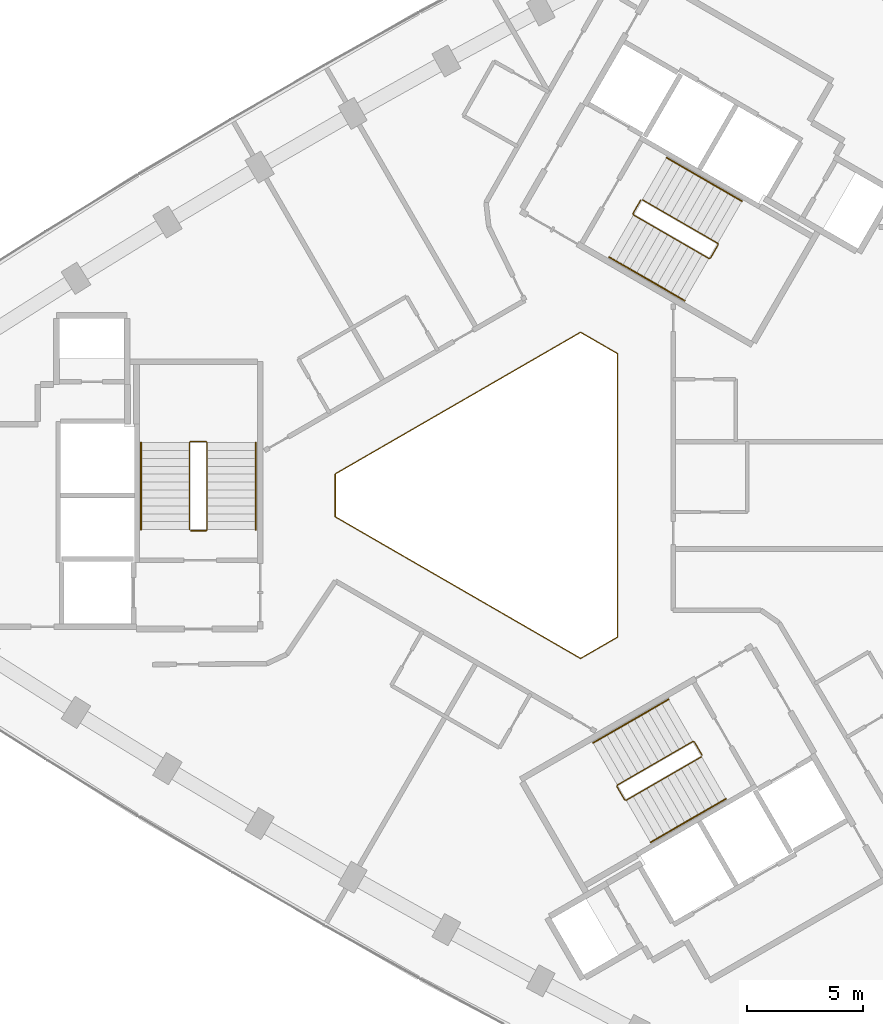
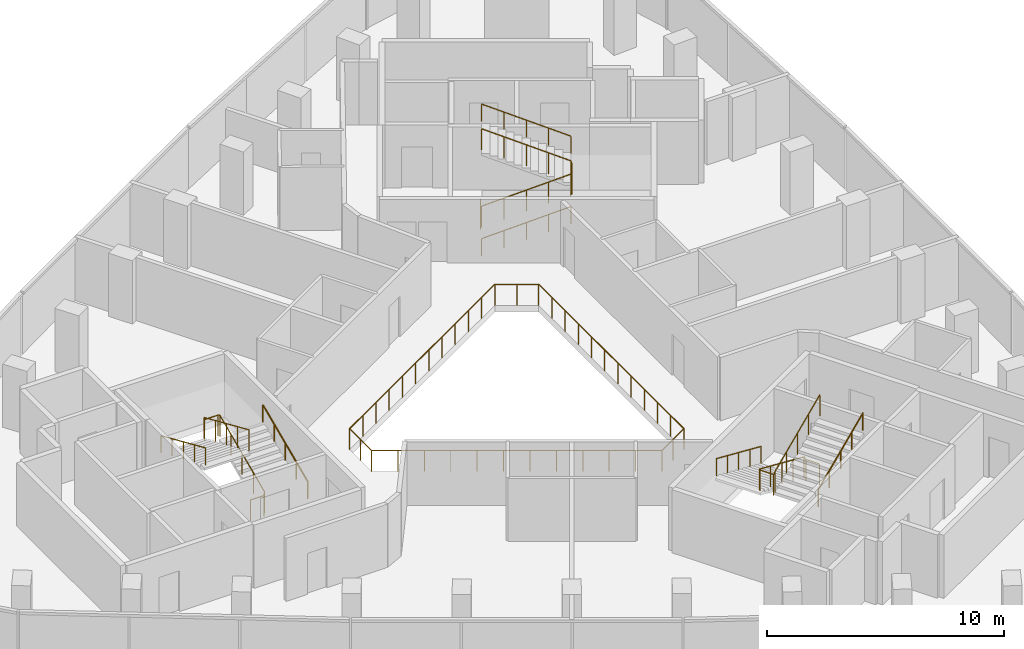
# One storey, part 11 of 11: 10 railings.
"""IFC4 building model written with IfcOpenShell, lengths in metres."""

from ifc_helpers import new_model, si_unit, direction, frame, origin, origin_2d, place, context, subcontext, project, spatial, circle, extrude, material, type_object, element, save


model = new_model("IFC4")

# Units and contexts
model_context = context("Model", 3, precision=1e-05, world=origin(), true_north=direction((0.0, 1.0)))
body_context = subcontext(model_context, "Body", "Model", "MODEL_VIEW")
ifc_project = project(units=[si_unit("LENGTHUNIT", "METRE"), si_unit("AREAUNIT", "SQUARE_METRE"), si_unit("VOLUMEUNIT", "CUBIC_METRE"), si_unit("PLANEANGLEUNIT", "RADIAN"), si_unit("MASSUNIT", "GRAM", prefix="KILO")], contexts=[model_context])

# Site, building, storey
site_placement = place(None, origin())
site = spatial("IfcSite", under=ifc_project, at=site_placement, CompositionType="ELEMENT")
building_placement = place(site_placement, origin())
building = spatial("IfcBuilding", under=site, at=building_placement, Name="Tamra Quay Hotel Tower", CompositionType="ELEMENT")
storey_placement = place(building_placement, frame((0.0, 0.0, 190.0)))
storey = spatial("IfcBuildingStorey", under=building, at=storey_placement, Name="L47", CompositionType="ELEMENT", Elevation=190.0)

# Railings
ifc_material_1 = material(Name="Guard atrium edge 1100")
railing_type_1 = type_object("IfcRailingType", Name="Guard atrium edge 1100", PredefinedType="GUARDRAIL", material=ifc_material_1)
railing_1_placement = place(storey_placement, frame((4.60009765625, -6.1201171875, 0.0)))
element("IfcRailing", 1, at=railing_1_placement, inside=storey, type_object=railing_type_1, Name="G-A", PredefinedType="GUARDRAIL", context=body_context, shape_type="SweptSolid", body=[
    extrude(circle(Radius=0.02392578125, at=origin_2d()), frame((0.0, 0.0, 1.076171875), z_axis=(-0.86602275259, -0.500004591975, 0.0), x_axis=(0.500004591975, -0.86602275259, 0.0)), (0.0, 0.0, 1.0), 1.84765625),
    extrude(circle(Radius=0.02392578125, at=origin_2d()), frame((-1.60009765625, -0.923828125, 1.076171875), z_axis=(-0.866028806638, 0.499994106039, 0.0), x_axis=(-0.499994106039, -0.866028806638, 0.0)), (0.0, 0.0, 1.0), 12.239990234375),
    extrude(circle(Radius=0.02392578125, at=origin_2d()), frame((-12.2001953125, 5.196044921875, 1.076171875), z_axis=(0.0, 1.0, 0.0), x_axis=(-1.0, 0.0, 0.0)), (0.0, 0.0, 1.0), 1.84814453125),
    extrude(circle(Radius=0.02392578125, at=origin_2d()), frame((-12.2001953125, 7.044189453125, 1.076171875), z_axis=(0.866028806638, 0.499994106039, 0.0), x_axis=(-0.499994106039, 0.866028806638, 0.0)), (0.0, 0.0, 1.0), 12.239990234375),
    extrude(circle(Radius=0.02392578125, at=origin_2d()), frame((-1.60009765625, 13.1640625, 1.076171875), z_axis=(0.86602275259, -0.500004591975, 0.0), x_axis=(0.500004591975, 0.86602275259, 0.0)), (0.0, 0.0, 1.0), 1.84765625),
    extrude(circle(Radius=0.02392578125, at=origin_2d()), frame((0.0, 12.240234375, 1.076171875), z_axis=(0.0, -1.0, 0.0), x_axis=(1.0, 0.0, 0.0)), (0.0, 0.0, 1.0), 12.240234375),
    extrude(circle(Radius=0.02099609375, at=origin_2d()), origin(), (0.0, 0.0, 1.0), 1.052001953125),
    extrude(circle(Radius=0.02099609375, at=origin_2d()), frame((-0.800048828125, -0.4619140625, 0.0)), (0.0, 0.0, 1.0), 1.052001953125),
    extrude(circle(Radius=0.02099609375, at=origin_2d()), frame((-1.60009765625, -0.923828125, 0.0)), (0.0, 0.0, 1.0), 1.052001953125),
    extrude(circle(Radius=0.02099609375, at=origin_2d()), frame((-2.563720703125, -0.367431640625, 0.0)), (0.0, 0.0, 1.0), 1.052001953125),
    extrude(circle(Radius=0.02099609375, at=origin_2d()), frame((-3.52734375, 0.18896484375, 0.0)), (0.0, 0.0, 1.0), 1.052001953125),
    extrude(circle(Radius=0.02099609375, at=origin_2d()), frame((-4.490966796875, 0.7451171875, 0.0)), (0.0, 0.0, 1.0), 1.052001953125),
    extrude(circle(Radius=0.02099609375, at=origin_2d()), frame((-5.45458984375, 1.301513671875, 0.0)), (0.0, 0.0, 1.0), 1.052001953125),
    extrude(circle(Radius=0.02099609375, at=origin_2d()), frame((-6.418212890625, 1.85791015625, 0.0)), (0.0, 0.0, 1.0), 1.052001953125),
    extrude(circle(Radius=0.02099609375, at=origin_2d()), frame((-7.382080078125, 2.414306640625, 0.0)), (0.0, 0.0, 1.0), 1.052001953125),
    extrude(circle(Radius=0.02099609375, at=origin_2d()), frame((-8.345703125, 2.970703125, 0.0)), (0.0, 0.0, 1.0), 1.052001953125),
    extrude(circle(Radius=0.02099609375, at=origin_2d()), frame((-9.309326171875, 3.527099609375, 0.0)), (0.0, 0.0, 1.0), 1.052001953125),
    extrude(circle(Radius=0.02099609375, at=origin_2d()), frame((-10.27294921875, 4.083251953125, 0.0)), (0.0, 0.0, 1.0), 1.052001953125),
    extrude(circle(Radius=0.02099609375, at=origin_2d()), frame((-11.236572265625, 4.6396484375, 0.0)), (0.0, 0.0, 1.0), 1.052001953125),
    extrude(circle(Radius=0.02099609375, at=origin_2d()), frame((-12.2001953125, 5.196044921875, 0.0)), (0.0, 0.0, 1.0), 1.052001953125),
    extrude(circle(Radius=0.02099609375, at=origin_2d()), frame((-12.2001953125, 6.1201171875, 0.0)), (0.0, 0.0, 1.0), 1.052001953125),
    extrude(circle(Radius=0.02099609375, at=origin_2d()), frame((-12.2001953125, 7.044189453125, 0.0)), (0.0, 0.0, 1.0), 1.052001953125),
    extrude(circle(Radius=0.02099609375, at=origin_2d()), frame((-11.236572265625, 7.6005859375, 0.0)), (0.0, 0.0, 1.0), 1.052001953125),
    extrude(circle(Radius=0.02099609375, at=origin_2d()), frame((-10.27294921875, 8.156982421875, 0.0)), (0.0, 0.0, 1.0), 1.052001953125),
    extrude(circle(Radius=0.02099609375, at=origin_2d()), frame((-9.309326171875, 8.713134765625, 0.0)), (0.0, 0.0, 1.0), 1.052001953125),
    extrude(circle(Radius=0.02099609375, at=origin_2d()), frame((-8.345703125, 9.26953125, 0.0)), (0.0, 0.0, 1.0), 1.052001953125),
    extrude(circle(Radius=0.02099609375, at=origin_2d()), frame((-7.382080078125, 9.825927734375, 0.0)), (0.0, 0.0, 1.0), 1.052001953125),
    extrude(circle(Radius=0.02099609375, at=origin_2d()), frame((-6.418212890625, 10.38232421875, 0.0)), (0.0, 0.0, 1.0), 1.052001953125),
    extrude(circle(Radius=0.02099609375, at=origin_2d()), frame((-5.45458984375, 10.938720703125, 0.0)), (0.0, 0.0, 1.0), 1.052001953125),
    extrude(circle(Radius=0.02099609375, at=origin_2d()), frame((-4.490966796875, 11.4951171875, 0.0)), (0.0, 0.0, 1.0), 1.052001953125),
    extrude(circle(Radius=0.02099609375, at=origin_2d()), frame((-3.52734375, 12.05126953125, 0.0)), (0.0, 0.0, 1.0), 1.052001953125),
    extrude(circle(Radius=0.02099609375, at=origin_2d()), frame((-2.563720703125, 12.607666015625, 0.0)), (0.0, 0.0, 1.0), 1.052001953125),
    extrude(circle(Radius=0.02099609375, at=origin_2d()), frame((-1.60009765625, 13.1640625, 0.0)), (0.0, 0.0, 1.0), 1.052001953125),
    extrude(circle(Radius=0.02099609375, at=origin_2d()), frame((-0.800048828125, 12.7021484375, 0.0)), (0.0, 0.0, 1.0), 1.052001953125),
    extrude(circle(Radius=0.02099609375, at=origin_2d()), frame((0.0, 12.240234375, 0.0)), (0.0, 0.0, 1.0), 1.052001953125),
    extrude(circle(Radius=0.02099609375, at=origin_2d()), frame((0.0, 11.12744140625, 0.0)), (0.0, 0.0, 1.0), 1.052001953125),
    extrude(circle(Radius=0.02099609375, at=origin_2d()), frame((0.0, 10.0146484375, 0.0)), (0.0, 0.0, 1.0), 1.052001953125),
    extrude(circle(Radius=0.02099609375, at=origin_2d()), frame((0.0, 8.902099609375, 0.0)), (0.0, 0.0, 1.0), 1.052001953125),
    extrude(circle(Radius=0.02099609375, at=origin_2d()), frame((0.0, 7.789306640625, 0.0)), (0.0, 0.0, 1.0), 1.052001953125),
    extrude(circle(Radius=0.02099609375, at=origin_2d()), frame((0.0, 6.676513671875, 0.0)), (0.0, 0.0, 1.0), 1.052001953125),
    extrude(circle(Radius=0.02099609375, at=origin_2d()), frame((0.0, 5.563720703125, 0.0)), (0.0, 0.0, 1.0), 1.052001953125),
    extrude(circle(Radius=0.02099609375, at=origin_2d()), frame((0.0, 4.450927734375, 0.0)), (0.0, 0.0, 1.0), 1.052001953125),
    extrude(circle(Radius=0.02099609375, at=origin_2d()), frame((0.0, 3.338134765625, 0.0)), (0.0, 0.0, 1.0), 1.052001953125),
    extrude(circle(Radius=0.02099609375, at=origin_2d()), frame((0.0, 2.2255859375, 0.0)), (0.0, 0.0, 1.0), 1.052001953125),
    extrude(circle(Radius=0.02099609375, at=origin_2d()), frame((0.0, 1.11279296875, 0.0)), (0.0, 0.0, 1.0), 1.052001953125),
])
ifc_material_2 = material(Name="Stair guard 1100")
railing_type_2 = type_object("IfcRailingType", Name="Stair guard 1100", PredefinedType="GUARDRAIL", material=ifc_material_2)
railing_2_placement = place(storey_placement, frame((-13.84130859375, -1.530029296875, 0.0)))
element("IfcRailing", 2, at=railing_2_placement, inside=storey, type_object=railing_type_2, Name="GR", PredefinedType="GUARDRAIL", context=body_context, shape_type="SweptSolid", body=[
    extrude(circle(Radius=0.02392578125, at=origin_2d()), frame((0.0, 0.0, 1.076171875), z_axis=(1.0, 0.0, 0.0), x_axis=(0.0, 1.0, 0.0)), (0.0, 0.0, 1.0), 0.658935546875),
    extrude(circle(Radius=0.02392578125, at=origin_2d()), frame((0.658935546875, 0.0, 1.076171875), z_axis=(0.301912943143, 0.301912943143, 0.904266083366), x_axis=(-0.707106781187, 0.707106781187, 0.0)), (0.0, 0.0, 1.0), 0.165771484375),
    extrude(circle(Radius=0.02392578125, at=origin_2d()), frame((0.708984375, 0.050048828125, 1.22607421875), z_axis=(0.0, 0.915773634228, 0.401694723457), x_axis=(-1.0, 0.0, 0.0)), (0.0, 0.0, 1.0), 4.10791015625),
    extrude(circle(Radius=0.02392578125, at=origin_2d()), frame((0.708984375, 3.81201171875, 2.8759765625), z_axis=(-0.708833529934, 0.705375805398, 0.0), x_axis=(-0.705375805398, -0.708833529934, 0.0)), (0.0, 0.0, 1.0), 0.070556640625),
    extrude(circle(Radius=0.02392578125, at=origin_2d()), frame((0.658935546875, 3.86181640625, 2.8759765625), z_axis=(-1.0, 0.0, 0.0), x_axis=(0.0, -1.0, 0.0)), (0.0, 0.0, 1.0), 0.658935546875),
    extrude(circle(Radius=0.02392578125, at=origin_2d()), frame((0.0, 3.86181640625, 2.8759765625), z_axis=(-0.302046947789, -0.300573548044, 0.904667443621), x_axis=(0.705375805398, -0.708833529934, 0.0)), (0.0, 0.0, 1.0), 0.165771484375),
    extrude(circle(Radius=0.02392578125, at=origin_2d()), frame((-0.050048828125, 3.81201171875, 3.02587890625), z_axis=(0.0, -0.915773634228, 0.401694723457), x_axis=(1.0, 0.0, 0.0)), (0.0, 0.0, 1.0), 4.10791015625),
    extrude(circle(Radius=0.02099609375, at=origin_2d()), origin(), (0.0, 0.0, 1.0), 1.052001953125),
    extrude(circle(Radius=0.02099609375, at=origin_2d()), frame((0.658935546875, 0.0, 0.0)), (0.0, 0.0, 1.0), 1.052001953125),
    extrude(circle(Radius=0.02099609375, at=origin_2d()), frame((0.708984375, 0.050048828125, 0.14990234375)), (0.0, 0.0, 1.0), 1.052001953125),
    extrude(circle(Radius=0.02099609375, at=origin_2d()), frame((0.708984375, 0.990478515625, 0.5625)), (0.0, 0.0, 1.0), 1.052001953125),
    extrude(circle(Radius=0.02099609375, at=origin_2d()), frame((0.708984375, 1.93115234375, 0.97509765625)), (0.0, 0.0, 1.0), 1.052001953125),
    extrude(circle(Radius=0.02099609375, at=origin_2d()), frame((0.708984375, 2.87158203125, 1.387451171875)), (0.0, 0.0, 1.0), 1.052001953125),
    extrude(circle(Radius=0.02099609375, at=origin_2d()), frame((0.708984375, 3.81201171875, 1.800048828125)), (0.0, 0.0, 1.0), 1.052001953125),
    extrude(circle(Radius=0.02099609375, at=origin_2d()), frame((0.658935546875, 3.86181640625, 1.800048828125)), (0.0, 0.0, 1.0), 1.052001953125),
    extrude(circle(Radius=0.02099609375, at=origin_2d()), frame((0.0, 3.86181640625, 1.800048828125)), (0.0, 0.0, 1.0), 1.052001953125),
    extrude(circle(Radius=0.02099609375, at=origin_2d()), frame((-0.050048828125, 3.81201171875, 1.949951171875)), (0.0, 0.0, 1.0), 1.052001953125),
    extrude(circle(Radius=0.02099609375, at=origin_2d()), frame((-0.050048828125, 2.87158203125, 2.362548828125)), (0.0, 0.0, 1.0), 1.052001953125),
    extrude(circle(Radius=0.02099609375, at=origin_2d()), frame((-0.050048828125, 1.93115234375, 2.77490234375)), (0.0, 0.0, 1.0), 1.052001953125),
    extrude(circle(Radius=0.02099609375, at=origin_2d()), frame((-0.050048828125, 0.990478515625, 3.1875)), (0.0, 0.0, 1.0), 1.052001953125),
    extrude(circle(Radius=0.02099609375, at=origin_2d()), frame((-0.050048828125, 0.050048828125, 3.60009765625)), (0.0, 0.0, 1.0), 1.052001953125),
])
railing_3_placement = place(storey_placement, frame((5.595458984375, 12.751953125, 0.0)))
element("IfcRailing", 3, at=railing_3_placement, inside=storey, type_object=railing_type_2, Name="GR", PredefinedType="GUARDRAIL", context=body_context, shape_type="SweptSolid", body=[
    extrude(circle(Radius=0.02392578125, at=origin_2d()), frame((0.0, 0.0, 1.076171875), z_axis=(-0.499765215335, -0.866160914346, 0.0), x_axis=(0.866160914346, -0.499765215335, 0.0)), (0.0, 0.0, 1.0), 0.658935546875),
    extrude(circle(Radius=0.02392578125, at=origin_2d()), frame((-0.329345703125, -0.57080078125, 1.076171875), z_axis=(0.110525977783, -0.411156637351, 0.904839338113), x_axis=(0.965715946433, 0.259601060869, 0.0)), (0.0, 0.0, 1.0), 0.165771484375),
    extrude(circle(Radius=0.02392578125, at=origin_2d()), frame((-0.31103515625, -0.638916015625, 1.22607421875), z_axis=(0.79305953016, -0.457922937641, 0.401700342053), x_axis=(0.500040788363, 0.866001853331, 0.0)), (0.0, 0.0, 1.0), 4.10791015625),
    extrude(circle(Radius=0.02392578125, at=origin_2d()), frame((2.94677734375, -2.52001953125, 2.8759765625), z_axis=(0.965948051503, 0.258736085224, 0.0), x_axis=(-0.258736085224, 0.965948051503, 0.0)), (0.0, 0.0, 1.0), 0.07080078125),
    extrude(circle(Radius=0.02392578125, at=origin_2d()), frame((3.01513671875, -2.501708984375, 2.8759765625), z_axis=(0.500043078269, 0.866000531106, 0.0), x_axis=(-0.866000531106, 0.500043078269, 0.0)), (0.0, 0.0, 1.0), 0.6591796875),
    extrude(circle(Radius=0.02392578125, at=origin_2d()), frame((3.3447265625, -1.930908203125, 2.8759765625), z_axis=(-0.110525977783, 0.411156637351, 0.904839338113), x_axis=(-0.965715946433, -0.259601060869, 0.0)), (0.0, 0.0, 1.0), 0.165771484375),
    extrude(circle(Radius=0.02392578125, at=origin_2d()), frame((3.326416015625, -1.86279296875, 3.02587890625), z_axis=(-0.793081581205, 0.457901355053, 0.401681409319), x_axis=(-0.500012686397, -0.866018079166, 0.0)), (0.0, 0.0, 1.0), 4.108154296875),
    extrude(circle(Radius=0.02099609375, at=origin_2d()), origin(), (0.0, 0.0, 1.0), 1.052001953125),
    extrude(circle(Radius=0.02099609375, at=origin_2d()), frame((-0.329345703125, -0.57080078125, 0.0)), (0.0, 0.0, 1.0), 1.052001953125),
    extrude(circle(Radius=0.02099609375, at=origin_2d()), frame((-0.31103515625, -0.638916015625, 0.14990234375)), (0.0, 0.0, 1.0), 1.052001953125),
    extrude(circle(Radius=0.02099609375, at=origin_2d()), frame((0.50341796875, -1.109130859375, 0.5625)), (0.0, 0.0, 1.0), 1.052001953125),
    extrude(circle(Radius=0.02099609375, at=origin_2d()), frame((1.31787109375, -1.57958984375, 0.97509765625)), (0.0, 0.0, 1.0), 1.052001953125),
    extrude(circle(Radius=0.02099609375, at=origin_2d()), frame((2.13232421875, -2.0498046875, 1.387451171875)), (0.0, 0.0, 1.0), 1.052001953125),
    extrude(circle(Radius=0.02099609375, at=origin_2d()), frame((2.94677734375, -2.52001953125, 1.800048828125)), (0.0, 0.0, 1.0), 1.052001953125),
    extrude(circle(Radius=0.02099609375, at=origin_2d()), frame((3.01513671875, -2.501708984375, 1.800048828125)), (0.0, 0.0, 1.0), 1.052001953125),
    extrude(circle(Radius=0.02099609375, at=origin_2d()), frame((3.3447265625, -1.930908203125, 1.800048828125)), (0.0, 0.0, 1.0), 1.052001953125),
    extrude(circle(Radius=0.02099609375, at=origin_2d()), frame((3.326416015625, -1.86279296875, 1.949951171875)), (0.0, 0.0, 1.0), 1.052001953125),
    extrude(circle(Radius=0.02099609375, at=origin_2d()), frame((2.511962890625, -1.392578125, 2.362548828125)), (0.0, 0.0, 1.0), 1.052001953125),
    extrude(circle(Radius=0.02099609375, at=origin_2d()), frame((1.697265625, -0.92236328125, 2.77490234375)), (0.0, 0.0, 1.0), 1.052001953125),
    extrude(circle(Radius=0.02099609375, at=origin_2d()), frame((0.8828125, -0.451904296875, 3.1875)), (0.0, 0.0, 1.0), 1.052001953125),
    extrude(circle(Radius=0.02099609375, at=origin_2d()), frame((0.068359375, 0.018310546875, 3.60009765625)), (0.0, 0.0, 1.0), 1.052001953125),
])
railing_4_placement = place(storey_placement, frame((8.245849609375, -11.221923828125, 0.0)))
element("IfcRailing", 4, at=railing_4_placement, inside=storey, type_object=railing_type_2, Name="GR", PredefinedType="GUARDRAIL", context=body_context, shape_type="SweptSolid", body=[
    extrude(circle(Radius=0.02392578125, at=origin_2d()), frame((0.0, 0.0, 1.076171875), z_axis=(-0.500043078269, 0.866000531106, 0.0), x_axis=(-0.866000531106, -0.500043078269, 0.0)), (0.0, 0.0, 1.0), 0.6591796875),
    extrude(circle(Radius=0.02392578125, at=origin_2d()), frame((-0.32958984375, 0.57080078125, 1.076171875), z_axis=(-0.41238007866, 0.110458949641, 0.904290601062), x_axis=(-0.258736085224, -0.965948051503, 0.0)), (0.0, 0.0, 1.0), 0.165771484375),
    extrude(circle(Radius=0.02392578125, at=origin_2d()), frame((-0.39794921875, 0.589111328125, 1.22607421875), z_axis=(-0.793081581205, -0.457901355053, 0.401681409319), x_axis=(0.500012686397, -0.866018079166, 0.0)), (0.0, 0.0, 1.0), 4.108154296875),
    extrude(circle(Radius=0.02392578125, at=origin_2d()), frame((-3.656005859375, -1.2919921875, 2.8759765625), z_axis=(-0.256368644879, -0.966579080015, 0.0), x_axis=(0.966579080015, -0.256368644879, 0.0)), (0.0, 0.0, 1.0), 0.070556640625),
    extrude(circle(Radius=0.02392578125, at=origin_2d()), frame((-3.674072265625, -1.360107421875, 2.8759765625), z_axis=(0.499765215335, -0.866160914346, 0.0), x_axis=(0.866160914346, 0.499765215335, 0.0)), (0.0, 0.0, 1.0), 0.658935546875),
    extrude(circle(Radius=0.02392578125, at=origin_2d()), frame((-3.3447265625, -1.930908203125, 2.8759765625), z_axis=(0.41238007866, -0.110458949641, 0.904290601062), x_axis=(0.258736085224, 0.965948051503, 0.0)), (0.0, 0.0, 1.0), 0.165771484375),
    extrude(circle(Radius=0.02392578125, at=origin_2d()), frame((-3.2763671875, -1.94921875, 3.02587890625), z_axis=(0.793081581205, 0.457901355053, 0.401681409319), x_axis=(-0.500012686397, 0.866018079166, 0.0)), (0.0, 0.0, 1.0), 4.108154296875),
    extrude(circle(Radius=0.02099609375, at=origin_2d()), origin(), (0.0, 0.0, 1.0), 1.052001953125),
    extrude(circle(Radius=0.02099609375, at=origin_2d()), frame((-0.32958984375, 0.57080078125, 0.0)), (0.0, 0.0, 1.0), 1.052001953125),
    extrude(circle(Radius=0.02099609375, at=origin_2d()), frame((-0.39794921875, 0.589111328125, 0.14990234375)), (0.0, 0.0, 1.0), 1.052001953125),
    extrude(circle(Radius=0.02099609375, at=origin_2d()), frame((-1.21240234375, 0.118896484375, 0.5625)), (0.0, 0.0, 1.0), 1.052001953125),
    extrude(circle(Radius=0.02099609375, at=origin_2d()), frame((-2.02685546875, -0.3515625, 0.97509765625)), (0.0, 0.0, 1.0), 1.052001953125),
    extrude(circle(Radius=0.02099609375, at=origin_2d()), frame((-2.841552734375, -0.82177734375, 1.387451171875)), (0.0, 0.0, 1.0), 1.052001953125),
    extrude(circle(Radius=0.02099609375, at=origin_2d()), frame((-3.656005859375, -1.2919921875, 1.800048828125)), (0.0, 0.0, 1.0), 1.052001953125),
    extrude(circle(Radius=0.02099609375, at=origin_2d()), frame((-3.674072265625, -1.360107421875, 1.800048828125)), (0.0, 0.0, 1.0), 1.052001953125),
    extrude(circle(Radius=0.02099609375, at=origin_2d()), frame((-3.3447265625, -1.930908203125, 1.800048828125)), (0.0, 0.0, 1.0), 1.052001953125),
    extrude(circle(Radius=0.02099609375, at=origin_2d()), frame((-3.2763671875, -1.94921875, 1.949951171875)), (0.0, 0.0, 1.0), 1.052001953125),
    extrude(circle(Radius=0.02099609375, at=origin_2d()), frame((-2.4619140625, -1.47900390625, 2.362548828125)), (0.0, 0.0, 1.0), 1.052001953125),
    extrude(circle(Radius=0.02099609375, at=origin_2d()), frame((-1.6474609375, -1.0087890625, 2.77490234375)), (0.0, 0.0, 1.0), 1.052001953125),
    extrude(circle(Radius=0.02099609375, at=origin_2d()), frame((-0.832763671875, -0.538330078125, 3.1875)), (0.0, 0.0, 1.0), 1.052001953125),
    extrude(circle(Radius=0.02099609375, at=origin_2d()), frame((-0.018310546875, -0.068115234375, 3.60009765625)), (0.0, 0.0, 1.0), 1.052001953125),
])
ifc_material_3 = material(Name="Stair handrail 900")
railing_type_3 = type_object("IfcRailingType", Name="Stair handrail 900", PredefinedType="HANDRAIL", material=ifc_material_3)
railing_5_placement = place(storey_placement, frame((-11.0322265625, -1.47998046875, 0.14990234375)))
element("IfcRailing", 5, at=railing_5_placement, inside=storey, type_object=railing_type_3, Name="HR", PredefinedType="HANDRAIL", context=body_context, shape_type="SweptSolid", body=[
    extrude(circle(Radius=0.02392578125, at=origin_2d()), frame((0.0, 0.0, 0.8759765625), z_axis=(0.0, 0.915773634228, 0.401694723457), x_axis=(-1.0, 0.0, 0.0)), (0.0, 0.0, 1.0), 4.10791015625),
    extrude(circle(Radius=0.02099609375, at=origin_2d()), origin(), (0.0, 0.0, 1.0), 0.851806640625),
    extrude(circle(Radius=0.02099609375, at=origin_2d()), frame((0.0, 0.9404296875, 0.41259765625)), (0.0, 0.0, 1.0), 0.851806640625),
    extrude(circle(Radius=0.02099609375, at=origin_2d()), frame((0.0, 1.880859375, 0.8251953125)), (0.0, 0.0, 1.0), 0.851806640625),
    extrude(circle(Radius=0.02099609375, at=origin_2d()), frame((0.0, 2.821533203125, 1.237548828125)), (0.0, 0.0, 1.0), 0.851806640625),
    extrude(circle(Radius=0.02099609375, at=origin_2d()), frame((0.0, 3.761962890625, 1.650146484375)), (0.0, 0.0, 1.0), 0.851806640625),
])
railing_6_placement = place(storey_placement, frame((-15.9912109375, 2.281982421875, 1.949951171875)))
element("IfcRailing", 6, at=railing_6_placement, inside=storey, type_object=railing_type_3, Name="HR", PredefinedType="HANDRAIL", context=body_context, shape_type="SweptSolid", body=[
    extrude(circle(Radius=0.02392578125, at=origin_2d()), frame((0.0, 0.0, 0.8759765625), z_axis=(0.0, -0.915773634228, 0.401694723457), x_axis=(1.0, 0.0, 0.0)), (0.0, 0.0, 1.0), 4.10791015625),
    extrude(circle(Radius=0.02099609375, at=origin_2d()), origin(), (0.0, 0.0, 1.0), 0.851806640625),
    extrude(circle(Radius=0.02099609375, at=origin_2d()), frame((0.0, -0.9404296875, 0.41259765625)), (0.0, 0.0, 1.0), 0.851806640625),
    extrude(circle(Radius=0.02099609375, at=origin_2d()), frame((0.0, -1.880859375, 0.8251953125)), (0.0, 0.0, 1.0), 0.851806640625),
    extrude(circle(Radius=0.02099609375, at=origin_2d()), frame((0.0, -2.821533203125, 1.237548828125)), (0.0, 0.0, 1.0), 0.851806640625),
    extrude(circle(Radius=0.02099609375, at=origin_2d()), frame((0.0, -3.761962890625, 1.650146484375)), (0.0, 0.0, 1.0), 0.851806640625),
])
railing_7_placement = place(storey_placement, frame((4.234375, 10.294189453125, 0.14990234375)))
element("IfcRailing", 7, at=railing_7_placement, inside=storey, type_object=railing_type_3, Name="HR", PredefinedType="HANDRAIL", context=body_context, shape_type="SweptSolid", body=[
    extrude(circle(Radius=0.02392578125, at=origin_2d()), frame((0.0, 0.0, 0.8759765625), z_axis=(0.793103162556, -0.457854384738, 0.401692339881), x_axis=(0.499964013922, 0.86604617936, 0.0)), (0.0, 0.0, 1.0), 4.10791015625),
    extrude(circle(Radius=0.02099609375, at=origin_2d()), origin(), (0.0, 0.0, 1.0), 0.851806640625),
    extrude(circle(Radius=0.02099609375, at=origin_2d()), frame((0.814453125, -0.47021484375, 0.41259765625)), (0.0, 0.0, 1.0), 0.851806640625),
    extrude(circle(Radius=0.02099609375, at=origin_2d()), frame((1.62890625, -0.9404296875, 0.8251953125)), (0.0, 0.0, 1.0), 0.851806640625),
    extrude(circle(Radius=0.02099609375, at=origin_2d()), frame((2.443603515625, -1.41064453125, 1.237548828125)), (0.0, 0.0, 1.0), 0.851806640625),
    extrude(circle(Radius=0.02099609375, at=origin_2d()), frame((3.258056640625, -1.880859375, 1.650146484375)), (0.0, 0.0, 1.0), 0.851806640625),
])
railing_8_placement = place(storey_placement, frame((9.971923828125, 12.7080078125, 1.949951171875)))
element("IfcRailing", 8, at=railing_8_placement, inside=storey, type_object=railing_type_3, Name="HR", PredefinedType="HANDRAIL", context=body_context, shape_type="SweptSolid", body=[
    extrude(circle(Radius=0.02392578125, at=origin_2d()), frame((0.0, 0.0, 0.8759765625), z_axis=(-0.793103162556, 0.457854384738, 0.401692339881), x_axis=(-0.499964013922, -0.86604617936, 0.0)), (0.0, 0.0, 1.0), 4.10791015625),
    extrude(circle(Radius=0.02099609375, at=origin_2d()), origin(), (0.0, 0.0, 1.0), 0.851806640625),
    extrude(circle(Radius=0.02099609375, at=origin_2d()), frame((-0.814453125, 0.47021484375, 0.41259765625)), (0.0, 0.0, 1.0), 0.851806640625),
    extrude(circle(Radius=0.02099609375, at=origin_2d()), frame((-1.62890625, 0.9404296875, 0.8251953125)), (0.0, 0.0, 1.0), 0.851806640625),
    extrude(circle(Radius=0.02099609375, at=origin_2d()), frame((-2.443603515625, 1.41064453125, 1.237548828125)), (0.0, 0.0, 1.0), 0.851806640625),
    extrude(circle(Radius=0.02099609375, at=origin_2d()), frame((-3.258056640625, 1.880859375, 1.650146484375)), (0.0, 0.0, 1.0), 0.851806640625),
])
railing_9_placement = place(storey_placement, frame((6.7978515625, -8.814208984375, 0.14990234375)))
element("IfcRailing", 9, at=railing_9_placement, inside=storey, type_object=railing_type_3, Name="HR", PredefinedType="HANDRAIL", context=body_context, shape_type="SweptSolid", body=[
    extrude(circle(Radius=0.02392578125, at=origin_2d()), frame((0.0, 0.0, 0.8759765625), z_axis=(-0.793081112945, -0.457875966286, 0.40171127416), x_axis=(0.499992114976, -0.866029956157, 0.0)), (0.0, 0.0, 1.0), 4.10791015625),
    extrude(circle(Radius=0.02099609375, at=origin_2d()), origin(), (0.0, 0.0, 1.0), 0.851806640625),
    extrude(circle(Radius=0.02099609375, at=origin_2d()), frame((-0.814453125, -0.47021484375, 0.41259765625)), (0.0, 0.0, 1.0), 0.851806640625),
    extrude(circle(Radius=0.02099609375, at=origin_2d()), frame((-1.62890625, -0.9404296875, 0.8251953125)), (0.0, 0.0, 1.0), 0.851806640625),
    extrude(circle(Radius=0.02099609375, at=origin_2d()), frame((-2.443359375, -1.41064453125, 1.237548828125)), (0.0, 0.0, 1.0), 0.851806640625),
    extrude(circle(Radius=0.02099609375, at=origin_2d()), frame((-3.2578125, -1.880859375, 1.650146484375)), (0.0, 0.0, 1.0), 0.851806640625),
])
railing_10_placement = place(storey_placement, frame((6.01953125, -14.98974609375, 1.949951171875)))
element("IfcRailing", 10, at=railing_10_placement, inside=storey, type_object=railing_type_3, Name="HR", PredefinedType="HANDRAIL", context=body_context, shape_type="SweptSolid", body=[
    extrude(circle(Radius=0.02392578125, at=origin_2d()), frame((0.0, 0.0, 0.8759765625), z_axis=(0.793081112945, 0.457875966286, 0.40171127416), x_axis=(-0.499992114976, 0.866029956157, 0.0)), (0.0, 0.0, 1.0), 4.10791015625),
    extrude(circle(Radius=0.02099609375, at=origin_2d()), origin(), (0.0, 0.0, 1.0), 0.851806640625),
    extrude(circle(Radius=0.02099609375, at=origin_2d()), frame((0.814453125, 0.47021484375, 0.41259765625)), (0.0, 0.0, 1.0), 0.851806640625),
    extrude(circle(Radius=0.02099609375, at=origin_2d()), frame((1.62890625, 0.9404296875, 0.8251953125)), (0.0, 0.0, 1.0), 0.851806640625),
    extrude(circle(Radius=0.02099609375, at=origin_2d()), frame((2.443359375, 1.41064453125, 1.237548828125)), (0.0, 0.0, 1.0), 0.851806640625),
    extrude(circle(Radius=0.02099609375, at=origin_2d()), frame((3.2578125, 1.880859375, 1.650146484375)), (0.0, 0.0, 1.0), 0.851806640625),
])

save(model, "model.ifc")
